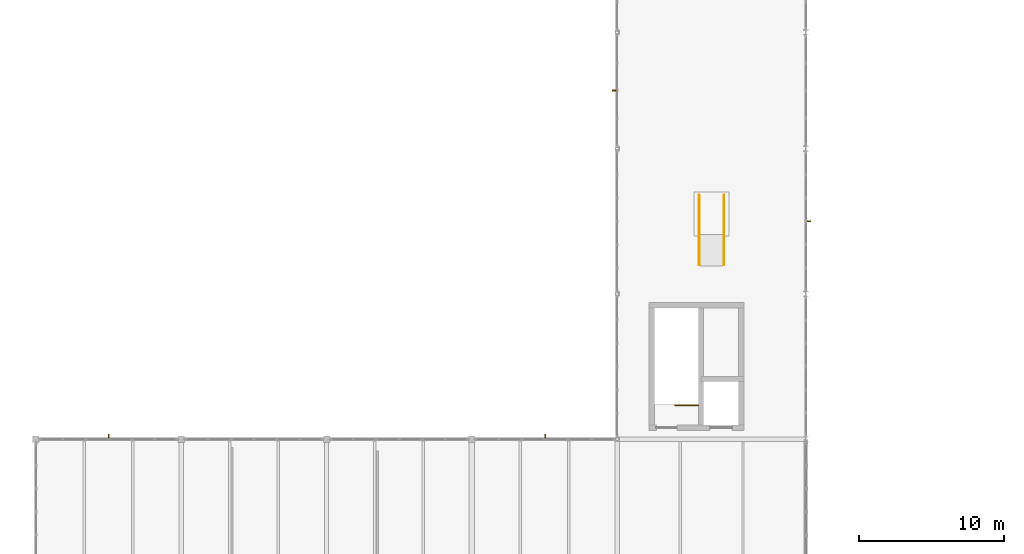
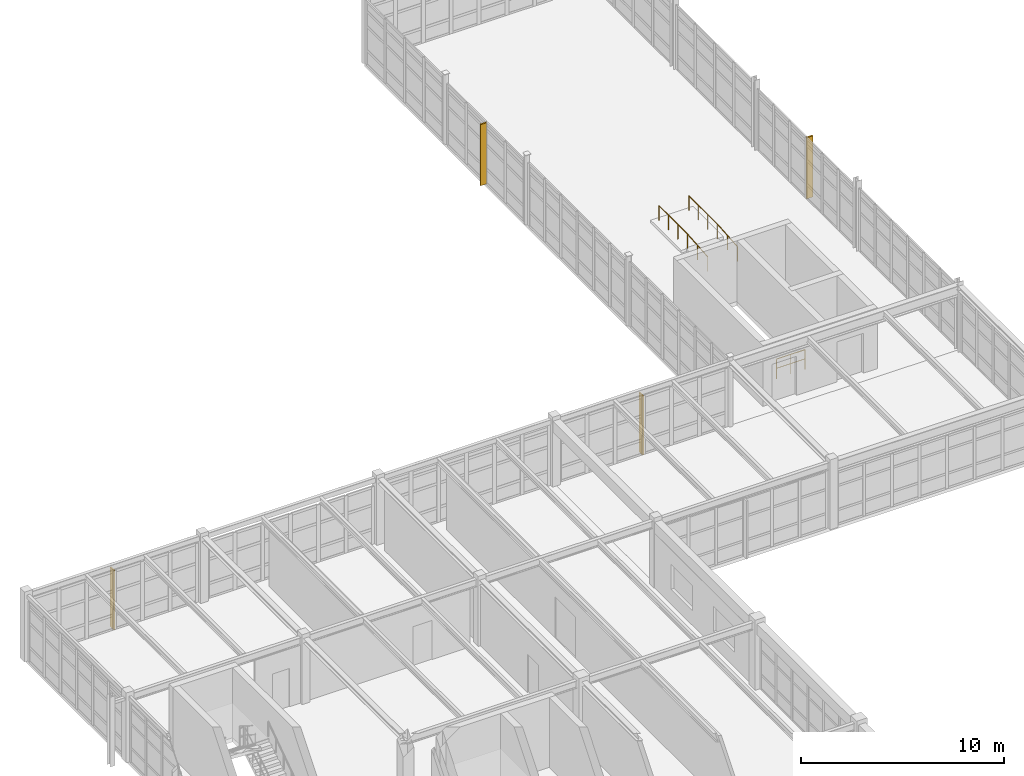
# One storey, part 118 of 122: 4 shading devices, 3 railings.
"""IFC4 building model written with IfcOpenShell, lengths in metres."""

from ifc_helpers import new_model, si_unit, direction, frame, origin, origin_2d, place, context, subcontext, project, spatial, rectangle, circle, extrude, material, type_object, element, save


model = new_model("IFC4")

# Units and contexts
model_context = context("Model", 3, precision=1e-05, world=origin(), true_north=direction((0.0, 1.0)))
body_context = subcontext(model_context, "Body", "Model", "MODEL_VIEW")
ifc_project = project(units=[si_unit("LENGTHUNIT", "METRE"), si_unit("AREAUNIT", "SQUARE_METRE"), si_unit("VOLUMEUNIT", "CUBIC_METRE"), si_unit("PLANEANGLEUNIT", "RADIAN"), si_unit("MASSUNIT", "GRAM", prefix="KILO"), si_unit("THERMODYNAMICTEMPERATUREUNIT", "KELVIN"), si_unit("POWERUNIT", "WATT")], contexts=[model_context])

# Site, building, storey
site_placement = place(None, origin())
site = spatial("IfcSite", under=ifc_project, at=site_placement, CompositionType="ELEMENT")
building_placement = place(site_placement, origin())
building = spatial("IfcBuilding", under=site, at=building_placement, Name="Korenveer Ferry Terminal", CompositionType="ELEMENT")
storey_placement = place(building_placement, frame((0.0, 0.0, 10.199951171875)))
storey = spatial("IfcBuildingStorey", under=building, at=storey_placement, Name="L02", CompositionType="ELEMENT", Elevation=10.199951171875)

# Shading devices
ifc_material_1 = material(Name="Anodised bronze aluminium solar fin", Category="aluminium")
shading_device_type = type_object("IfcShadingDeviceType", Name="ENV-SHD-FIN", PredefinedType="JALOUSIE", material=ifc_material_1)
shading_device_1_placement = place(storey_placement, frame((5.0, 80.159912109375, -0.02001953125), z_axis=(0.0, 0.0, 1.0), x_axis=(0.0, 1.0, 0.0)))
element("IfcShadingDevice", 1, at=shading_device_1_placement, inside=storey, type_object=shading_device_type, Name="Gothic solar fin 46", PredefinedType="JALOUSIE", context=body_context, shape_type="SweptSolid", body=[
    extrude(rectangle(XDim=0.360107421875, YDim=0.080078125, at=origin_2d()), origin(), (0.0, 0.0, 1.0), 3.570068359375),
])
shading_device_2_placement = place(storey_placement, frame((35.044189453125, 80.159912109375, -0.02001953125), z_axis=(0.0, 0.0, 1.0), x_axis=(0.0, 1.0, 0.0)))
element("IfcShadingDevice", 2, at=shading_device_2_placement, inside=storey, type_object=shading_device_type, Name="Gothic solar fin 47", PredefinedType="JALOUSIE", context=body_context, shape_type="SweptSolid", body=[
    extrude(rectangle(XDim=0.360107421875, YDim=0.080078125, at=origin_2d()), origin(), (0.0, 0.0, 1.0), 3.550048828125),
])
for number, where, z_axis, x_axis, name in (
    (3, (39.840087890625, 104.0, -0.02001953125), (0.0, 0.0, 1.0), (1.0, 0.0, 0.0), "Gothic solar fin 52"),
    (4, (53.159912109375, 95.0, -0.02001953125), (0.0, 0.0, 1.0), (1.0, 0.0, 0.0), "Gothic solar fin 54"),
):
    element("IfcShadingDevice", number, at=place(storey_placement, frame(where, z_axis=z_axis, x_axis=x_axis)), inside=storey, type_object=shading_device_type, Name=name, PredefinedType="JALOUSIE", context=body_context, shape_type="SweptSolid", body=[
        extrude(rectangle(XDim=0.360107421875, YDim=0.080078125, at=origin_2d()), origin(), (0.0, 0.0, 1.0), 3.679931640625),
    ])

# Railings
ifc_material_2 = material(Name="Brushed stainless steel ramp handrail", Category="steel")
railing_type_1 = type_object("IfcRailingType", Name="INT-RL-RMPHND", PredefinedType="HANDRAIL", material=ifc_material_2)
for number, where, name in (
    (5, (45.64990234375, 92.0, 0.0), "West Boarding Bridge Accessible Ramp handrail W"),
    (6, (47.35009765625, 92.0, 0.0), "West Boarding Bridge Accessible Ramp handrail E"),
):
    element("IfcRailing", number, at=place(storey_placement, frame(where)), inside=storey, type_object=railing_type_1, Name=name, PredefinedType="HANDRAIL", context=body_context, shape_type="SweptSolid", body=[
        extrude(circle(Radius=0.02392578125, at=origin_2d()), frame((0.0, 0.0, 0.8759765625), z_axis=(0.0, 0.996809085095, 0.079822602517), x_axis=(-1.0, 0.0, 0.0)), (0.0, 0.0, 1.0), 2.00634765625),
        extrude(circle(Radius=0.02392578125, at=origin_2d()), frame((0.0, 2.0, 1.0361328125), z_axis=(0.0, 1.0, 0.0), x_axis=(-1.0, 0.0, 0.0)), (0.0, 0.0, 1.0), 2.800048828125),
        extrude(circle(Radius=0.02099609375, at=origin_2d()), origin(), (0.0, 0.0, 1.0), 0.851806640625),
        extrude(circle(Radius=0.02099609375, at=origin_2d()), frame((0.0, 1.0, 0.080078125)), (0.0, 0.0, 1.0), 0.851806640625),
        extrude(circle(Radius=0.02099609375, at=origin_2d()), frame((0.0, 2.0, 0.16015625)), (0.0, 0.0, 1.0), 0.851806640625),
        extrude(circle(Radius=0.02099609375, at=origin_2d()), frame((0.0, 2.933349609375, 0.16015625)), (0.0, 0.0, 1.0), 0.851806640625),
        extrude(circle(Radius=0.02099609375, at=origin_2d()), frame((0.0, 3.86669921875, 0.16015625)), (0.0, 0.0, 1.0), 0.851806640625),
        extrude(circle(Radius=0.02099609375, at=origin_2d()), frame((0.0, 4.800048828125, 0.16015625)), (0.0, 0.0, 1.0), 0.851806640625),
    ])
ifc_material_3 = material(Name="Painted steel stair guard", Category="steel")
railing_type_2 = type_object("IfcRailingType", Name="INT-RL-STGRD", PredefinedType="GUARDRAIL", material=ifc_material_3)
railing_placement = place(storey_placement, frame((45.60009765625, 82.330078125, 0.0)))
element("IfcRailing", 7, at=railing_placement, inside=storey, type_object=railing_type_2, Name="L02 ST07 top well guard 1", PredefinedType="GUARDRAIL", context=body_context, shape_type="SweptSolid", body=[
    extrude(circle(Radius=0.02392578125, at=origin_2d()), frame((0.0, 0.0, 1.17578125), z_axis=(-1.0, 0.0, 0.0), x_axis=(0.0, -1.0, 0.0)), (0.0, 0.0, 1.0), 1.6201171875),
    extrude(circle(Radius=0.01806640625, at=origin_2d()), frame((0.0, 0.0, 0.6240234375), z_axis=(-1.0, 0.0, 0.0), x_axis=(0.0, -1.0, 0.0)), (0.0, 0.0, 1.0), 1.6201171875),
    extrude(circle(Radius=0.02099609375, at=origin_2d()), origin(), (0.0, 0.0, 1.0), 1.15185546875),
    extrude(circle(Radius=0.02099609375, at=origin_2d()), frame((-0.81005859375, 0.0, 0.0)), (0.0, 0.0, 1.0), 1.15185546875),
    extrude(circle(Radius=0.02099609375, at=origin_2d()), frame((-1.6201171875, 0.0, 0.0)), (0.0, 0.0, 1.0), 1.15185546875),
])

save(model, "model.ifc")
